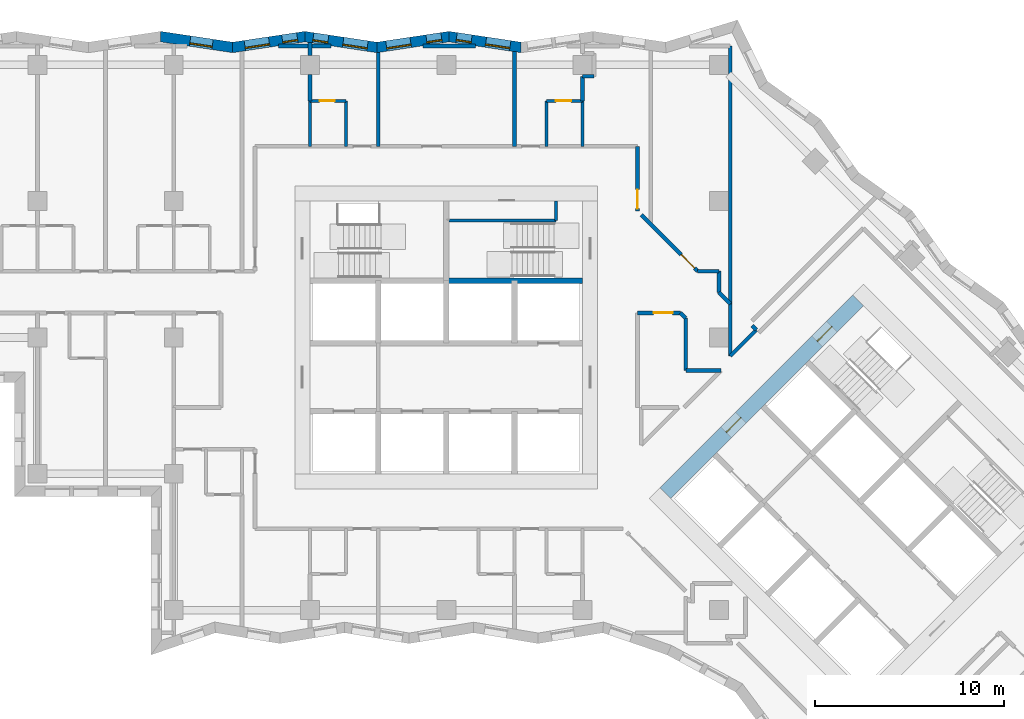
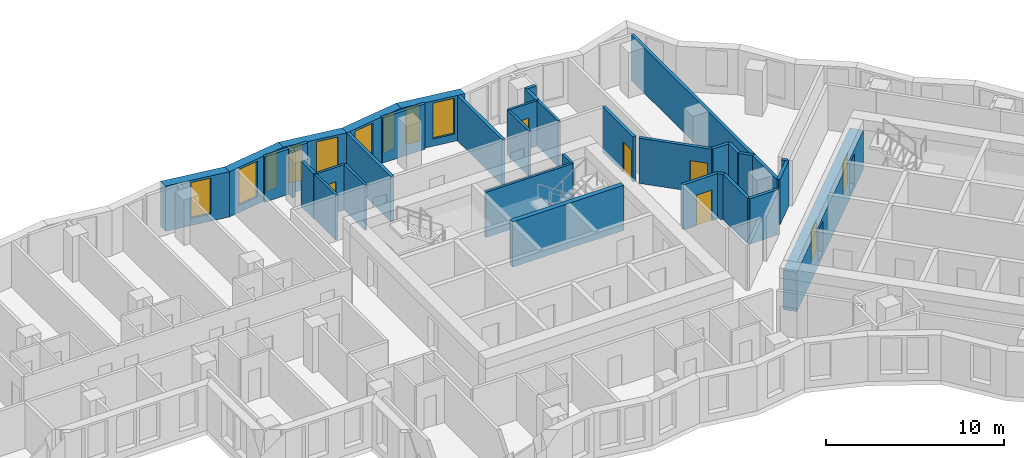
# One storey, part 7 of 13: 36 walls, 9 windows, 7 doors, 16 openings.
"""IFC4 building model written with IfcOpenShell, lengths in metres."""

from ifc_helpers import new_model, si_unit, direction, frame, frame_2d, origin, place, context, subcontext, project, spatial, polyline, rectangle, outline, extrude, material, layer, layer_set, type_object, element, fill, save


model = new_model("IFC4")

# Units and contexts
model_context = context("Model", 3, precision=1e-05, world=origin(), true_north=direction((0.0, 1.0)))
body_context = subcontext(model_context, "Body", "Model", "MODEL_VIEW")
ifc_project = project(units=[si_unit("LENGTHUNIT", "METRE"), si_unit("AREAUNIT", "SQUARE_METRE"), si_unit("VOLUMEUNIT", "CUBIC_METRE"), si_unit("PLANEANGLEUNIT", "RADIAN"), si_unit("MASSUNIT", "GRAM", prefix="KILO")], contexts=[model_context])

# Site, building, storey
site_placement = place(None, origin())
site = spatial("IfcSite", under=ifc_project, at=site_placement, CompositionType="ELEMENT")
building_placement = place(site_placement, origin())
building = spatial("IfcBuilding", under=site, at=building_placement, Name="Windrow Commons", CompositionType="ELEMENT")
storey_placement = place(building_placement, frame((0.0, 0.0, 111.8)))
storey = spatial("IfcBuildingStorey", under=building, at=storey_placement, Name="L30", CompositionType="ELEMENT", Elevation=111.8)

# Wall, openings, windows
ifc_material_1 = material(Name="Brick masonry, red clay brick", Category="masonry")
ifc_layer_1 = layer(ifc_material_1, 0.55)
ifc_layer_set_1 = layer_set([ifc_layer_1], Name="Brick facade wall 550")
wall_type_1 = type_object("IfcWallType", Name="Brick facade wall 550", PredefinedType="SOLIDWALL", material=ifc_layer_set_1)
wall_1_placement = place(storey_placement, frame((68.7536, 72.9219, 0.0), z_axis=(0.0, 0.0, 1.0), x_axis=(-0.9889155896, 0.1484788086, 0.0)))
wall_1 = element("IfcWall", 1, at=wall_1_placement, inside=storey, type_object=wall_type_1, Name="Brick facade wall L30 24", PredefinedType="SOLIDWALL", context=body_context, shape_type="SweptSolid", body=[
    extrude(outline(polyline([(0.0413, -0.275), (3.8937, -0.275), (3.8111, 0.275), (-0.0413, 0.275), (0.0413, -0.275)])), origin(), (0.0, 0.0, 1.0), 3.1),
])
opening_1_placement = place(wall_1_placement, frame((0.5843, 0.0, 0.5)))
opening_1 = element("IfcOpeningElement", 2, at=opening_1_placement, cuts=wall_1, Name="Opening W1P", PredefinedType="OPENING", context=body_context, shape_type="SweptSolid", body=[
    extrude(rectangle(XDim=1.3, YDim=2.45, at=frame_2d((0.65, 1.225))), frame((0.0, 0.285, 0.0), z_axis=(0.0, -1.0, 0.0), x_axis=(1.0, 0.0, 0.0)), (0.0, 0.0, 1.0), 0.57),
])
opening_2_placement = place(wall_1_placement, frame((2.6547, 0.0, 0.45)))
opening_2 = element("IfcOpeningElement", 3, at=opening_2_placement, cuts=wall_1, Name="Opening W1N", PredefinedType="OPENING", context=body_context, shape_type="SweptSolid", body=[
    extrude(rectangle(XDim=0.8, YDim=2.5, at=frame_2d((0.4, 1.25))), frame((0.0, 0.285, 0.0), z_axis=(0.0, -1.0, 0.0), x_axis=(1.0, 0.0, 0.0)), (0.0, 0.0, 1.0), 0.57),
])
ifc_material_2 = material(Name="Clear float glass in anodised aluminium frame", Category="aluminium")
window_type_1 = type_object("IfcWindowType", Name="Window W1N slit 800x2500", PartitioningType="SINGLE_PANEL", PredefinedType="WINDOW", material=ifc_material_2)
window_1_placement = place(opening_2_placement, origin())
window_1 = element("IfcWindow", 4, at=window_1_placement, inside=storey, type_object=window_type_1, Name="Window L30 24.1BA", OverallHeight=2.5, OverallWidth=0.8, PartitioningType="SINGLE_PANEL", PredefinedType="WINDOW", context=body_context, shape_type="SweptSolid", body=[
    extrude(rectangle(XDim=0.8, YDim=2.5, at=frame_2d((0.4, 1.25))), frame((0.0, 0.155, 0.0), z_axis=(0.0, -1.0, 0.0), x_axis=(1.0, 0.0, 0.0)), (0.0, 0.0, 1.0), 0.06),
])
fill(opening_2, window_1)
ifc_material_3 = material(Name="Clear float glass in anodised aluminium frame", Category="aluminium")
window_type_2 = type_object("IfcWindowType", Name="Window W1P pair 1300x2450", PartitioningType="SINGLE_PANEL", PredefinedType="WINDOW", material=ifc_material_3)
window_2_placement = place(opening_1_placement, origin())
window_2 = element("IfcWindow", 5, at=window_2_placement, inside=storey, type_object=window_type_2, Name="Window L30 24.1A", OverallHeight=2.45, OverallWidth=1.3, PartitioningType="SINGLE_PANEL", PredefinedType="WINDOW", context=body_context, shape_type="SweptSolid", body=[
    extrude(rectangle(XDim=1.3, YDim=2.45, at=frame_2d((0.65, 1.225))), frame((0.0, 0.155, 0.0), z_axis=(0.0, -1.0, 0.0), x_axis=(1.0, 0.0, 0.0)), (0.0, 0.0, 1.0), 0.06),
])
fill(opening_1, window_2)

wall_2_placement = place(storey_placement, frame((64.9439, 73.4939, 0.0), z_axis=(0.0, 0.0, 1.0), x_axis=(-0.9889150173, -0.1484826202, 0.0)))
wall_2 = element("IfcWall", 6, at=wall_2_placement, inside=storey, type_object=wall_type_1, Name="Brick facade wall L30 25", PredefinedType="SOLIDWALL", context=body_context, shape_type="SweptSolid", body=[
    extrude(outline(polyline([(-0.0413, -0.275), (3.8111, -0.275), (3.8937, 0.275), (0.0413, 0.275), (-0.0413, -0.275)])), origin(), (0.0, 0.0, 1.0), 3.1),
])
opening_3_placement = place(wall_2_placement, frame((2.0468, 0.0, 0.5)))
opening_3 = element("IfcOpeningElement", 7, at=opening_3_placement, cuts=wall_2, Name="Opening W1P", PredefinedType="OPENING", context=body_context, shape_type="SweptSolid", body=[
    extrude(rectangle(XDim=1.3, YDim=2.45, at=frame_2d((0.65, 1.225))), frame((0.0, 0.285, 0.0), z_axis=(0.0, -1.0, 0.0), x_axis=(1.0, 0.0, 0.0)), (0.0, 0.0, 1.0), 0.57),
])
opening_4_placement = place(wall_2_placement, frame((0.3975, 0.0, 0.45)))
opening_4 = element("IfcOpeningElement", 8, at=opening_4_placement, cuts=wall_2, Name="Opening W1N", PredefinedType="OPENING", context=body_context, shape_type="SweptSolid", body=[
    extrude(rectangle(XDim=0.8, YDim=2.5, at=frame_2d((0.4, 1.25))), frame((0.0, 0.285, 0.0), z_axis=(0.0, -1.0, 0.0), x_axis=(1.0, 0.0, 0.0)), (0.0, 0.0, 1.0), 0.57),
])
window_3_placement = place(opening_4_placement, origin())
window_3 = element("IfcWindow", 9, at=window_3_placement, inside=storey, type_object=window_type_1, Name="Window L30 25.1AA", OverallHeight=2.5, OverallWidth=0.8, PartitioningType="SINGLE_PANEL", PredefinedType="WINDOW", context=body_context, shape_type="SweptSolid", body=[
    extrude(rectangle(XDim=0.8, YDim=2.5, at=frame_2d((0.4, 1.25))), frame((0.0, 0.155, 0.0), z_axis=(0.0, -1.0, 0.0), x_axis=(1.0, 0.0, 0.0)), (0.0, 0.0, 1.0), 0.06),
])
fill(opening_4, window_3)
window_4_placement = place(opening_3_placement, origin())
window_4 = element("IfcWindow", 10, at=window_4_placement, inside=storey, type_object=window_type_2, Name="Window L30 25.1B", OverallHeight=2.45, OverallWidth=1.3, PartitioningType="SINGLE_PANEL", PredefinedType="WINDOW", context=body_context, shape_type="SweptSolid", body=[
    extrude(rectangle(XDim=1.3, YDim=2.45, at=frame_2d((0.65, 1.225))), frame((0.0, 0.155, 0.0), z_axis=(0.0, -1.0, 0.0), x_axis=(1.0, 0.0, 0.0)), (0.0, 0.0, 1.0), 0.06),
])
fill(opening_3, window_4)

wall_3_placement = place(storey_placement, frame((61.1343, 72.9219, 0.0), z_axis=(0.0, 0.0, 1.0), x_axis=(-0.9889155896, 0.1484788086, 0.0)))
wall_3 = element("IfcWall", 11, at=wall_3_placement, inside=storey, type_object=wall_type_1, Name="Brick facade wall L30 26", PredefinedType="SOLIDWALL", context=body_context, shape_type="SweptSolid", body=[
    extrude(outline(polyline([(0.0413, -0.275), (3.8937, -0.275), (3.8111, 0.275), (-0.0413, 0.275), (0.0413, -0.275)])), origin(), (0.0, 0.0, 1.0), 3.1),
])
opening_5_placement = place(wall_3_placement, frame((0.5055, 0.0, 0.5)))
opening_5 = element("IfcOpeningElement", 12, at=opening_5_placement, cuts=wall_3, Name="Opening W1P", PredefinedType="OPENING", context=body_context, shape_type="SweptSolid", body=[
    extrude(rectangle(XDim=1.3, YDim=2.45, at=frame_2d((0.65, 1.225))), frame((0.0, 0.285, 0.0), z_axis=(0.0, -1.0, 0.0), x_axis=(1.0, 0.0, 0.0)), (0.0, 0.0, 1.0), 0.57),
])
opening_6_placement = place(wall_3_placement, frame((2.6047, 0.0, 0.45)))
opening_6 = element("IfcOpeningElement", 13, at=opening_6_placement, cuts=wall_3, Name="Opening W1N", PredefinedType="OPENING", context=body_context, shape_type="SweptSolid", body=[
    extrude(rectangle(XDim=0.8, YDim=2.5, at=frame_2d((0.4, 1.25))), frame((0.0, 0.285, 0.0), z_axis=(0.0, -1.0, 0.0), x_axis=(1.0, 0.0, 0.0)), (0.0, 0.0, 1.0), 0.57),
])
window_5_placement = place(opening_6_placement, origin())
window_5 = element("IfcWindow", 14, at=window_5_placement, inside=storey, type_object=window_type_1, Name="Window L30 26.1BA", OverallHeight=2.5, OverallWidth=0.8, PartitioningType="SINGLE_PANEL", PredefinedType="WINDOW", context=body_context, shape_type="SweptSolid", body=[
    extrude(rectangle(XDim=0.8, YDim=2.5, at=frame_2d((0.4, 1.25))), frame((0.0, 0.155, 0.0), z_axis=(0.0, -1.0, 0.0), x_axis=(1.0, 0.0, 0.0)), (0.0, 0.0, 1.0), 0.06),
])
fill(opening_6, window_5)
window_6_placement = place(opening_5_placement, origin())
window_6 = element("IfcWindow", 15, at=window_6_placement, inside=storey, type_object=window_type_2, Name="Window L30 26.1A", OverallHeight=2.45, OverallWidth=1.3, PartitioningType="SINGLE_PANEL", PredefinedType="WINDOW", context=body_context, shape_type="SweptSolid", body=[
    extrude(rectangle(XDim=1.3, YDim=2.45, at=frame_2d((0.65, 1.225))), frame((0.0, 0.155, 0.0), z_axis=(0.0, -1.0, 0.0), x_axis=(1.0, 0.0, 0.0)), (0.0, 0.0, 1.0), 0.06),
])
fill(opening_5, window_6)

wall_4_placement = place(storey_placement, frame((57.3246, 73.4939, 0.0), z_axis=(0.0, 0.0, 1.0), x_axis=(-0.9889155896, -0.1484788086, 0.0)))
wall_4 = element("IfcWall", 16, at=wall_4_placement, inside=storey, type_object=wall_type_1, Name="Brick facade wall L30 27", PredefinedType="SOLIDWALL", context=body_context, shape_type="SweptSolid", body=[
    extrude(outline(polyline([(-0.0413, -0.275), (3.8111, -0.275), (3.8937, 0.275), (0.0413, 0.275), (-0.0413, -0.275)])), origin(), (0.0, 0.0, 1.0), 3.1),
])
opening_7_placement = place(wall_4_placement, frame((1.9016, 0.0, 0.5)))
opening_7 = element("IfcOpeningElement", 17, at=opening_7_placement, cuts=wall_4, Name="Opening W1P", PredefinedType="OPENING", context=body_context, shape_type="SweptSolid", body=[
    extrude(rectangle(XDim=1.3, YDim=2.45, at=frame_2d((0.65, 1.225))), frame((0.0, 0.285, 0.0), z_axis=(0.0, -1.0, 0.0), x_axis=(1.0, 0.0, 0.0)), (0.0, 0.0, 1.0), 0.57),
])
opening_8_placement = place(wall_4_placement, frame((0.3975, 0.0, 0.45)))
opening_8 = element("IfcOpeningElement", 18, at=opening_8_placement, cuts=wall_4, Name="Opening W1N", PredefinedType="OPENING", context=body_context, shape_type="SweptSolid", body=[
    extrude(rectangle(XDim=0.8, YDim=2.5, at=frame_2d((0.4, 1.25))), frame((0.0, 0.285, 0.0), z_axis=(0.0, -1.0, 0.0), x_axis=(1.0, 0.0, 0.0)), (0.0, 0.0, 1.0), 0.57),
])
window_7_placement = place(opening_8_placement, origin())
window_7 = element("IfcWindow", 19, at=window_7_placement, inside=storey, type_object=window_type_1, Name="Window L30 27.1AA", OverallHeight=2.5, OverallWidth=0.8, PartitioningType="SINGLE_PANEL", PredefinedType="WINDOW", context=body_context, shape_type="SweptSolid", body=[
    extrude(rectangle(XDim=0.8, YDim=2.5, at=frame_2d((0.4, 1.25))), frame((0.0, 0.155, 0.0), z_axis=(0.0, -1.0, 0.0), x_axis=(1.0, 0.0, 0.0)), (0.0, 0.0, 1.0), 0.06),
])
fill(opening_8, window_7)
window_8_placement = place(opening_7_placement, origin())
window_8 = element("IfcWindow", 20, at=window_8_placement, inside=storey, type_object=window_type_2, Name="Window L30 27.1B", OverallHeight=2.45, OverallWidth=1.3, PartitioningType="SINGLE_PANEL", PredefinedType="WINDOW", context=body_context, shape_type="SweptSolid", body=[
    extrude(rectangle(XDim=1.3, YDim=2.45, at=frame_2d((0.65, 1.225))), frame((0.0, 0.155, 0.0), z_axis=(0.0, -1.0, 0.0), x_axis=(1.0, 0.0, 0.0)), (0.0, 0.0, 1.0), 0.06),
])
fill(opening_7, window_8)

# Wall, opening, window
wall_5_placement = place(storey_placement, frame((53.5149, 72.9219, 0.0), z_axis=(0.0, 0.0, 1.0), x_axis=(-0.9889150173, 0.1484826202, 0.0)))
wall_5 = element("IfcWall", 21, at=wall_5_placement, inside=storey, type_object=wall_type_1, Name="Brick facade wall L30 28", PredefinedType="SOLIDWALL", context=body_context, shape_type="SweptSolid", body=[
    extrude(outline(polyline([(0.0413, -0.275), (3.8937, -0.275), (3.8111, 0.275), (-0.0413, 0.275), (0.0413, -0.275)])), origin(), (0.0, 0.0, 1.0), 3.1),
])
opening_9_placement = place(wall_5_placement, frame((1.0749, 0.0, 0.5)))
opening_9 = element("IfcOpeningElement", 22, at=opening_9_placement, cuts=wall_5, Name="Opening W7D", PredefinedType="OPENING", context=body_context, shape_type="SweptSolid", body=[
    extrude(rectangle(XDim=1.2, YDim=2.45, at=frame_2d((0.6, 1.225))), frame((0.0, 0.285, 0.0), z_axis=(0.0, -1.0, 0.0), x_axis=(1.0, 0.0, 0.0)), (0.0, 0.0, 1.0), 0.57),
])
ifc_material_4 = material(Name="Clear float glass in anodised aluminium frame", Category="aluminium")
window_type_3 = type_object("IfcWindowType", Name="Window W7 notch 1200x2450", PartitioningType="SINGLE_PANEL", PredefinedType="WINDOW", material=ifc_material_4)
window_9_placement = place(opening_9_placement, origin())
window_9 = element("IfcWindow", 23, at=window_9_placement, inside=storey, type_object=window_type_3, Name="Window L30 28.1", OverallHeight=2.45, OverallWidth=1.2, PartitioningType="SINGLE_PANEL", PredefinedType="WINDOW", context=body_context, shape_type="SweptSolid", body=[
    extrude(rectangle(XDim=1.2, YDim=2.45, at=frame_2d((0.6, 1.225))), frame((0.0, 0.155, 0.0), z_axis=(0.0, -1.0, 0.0), x_axis=(1.0, 0.0, 0.0)), (0.0, 0.0, 1.0), 0.06),
])
fill(opening_9, window_9)

# Wall, opening, door
ifc_material_5 = material(Name="Blockwork partition", Category="masonry")
ifc_layer_2 = layer(ifc_material_5, 0.2)
ifc_layer_set_2 = layer_set([ifc_layer_2], Name="IW-CORRIDOR-200")
wall_type_2 = type_object("IfcWallType", Name="IW-CORRIDOR-200", PredefinedType="PARTITIONING", material=ifc_layer_set_2)
wall_6_placement = place(storey_placement, frame((75.1034, 64.0834, 0.0), z_axis=(0.0, 0.0, 1.0), x_axis=(0.7071067812, -0.7071067812, 0.0)))
wall_6 = element("IfcWall", 24, at=wall_6_placement, inside=storey, type_object=wall_type_2, Name="W-L30-W049", PredefinedType="PARTITIONING", context=body_context, shape_type="SweptSolid", body=[
    extrude(rectangle(XDim=4.2144, YDim=0.2, at=frame_2d((2.1072, 0.0))), origin(), (0.0, 0.0, 1.0), 3.1),
])
opening_10_placement = place(wall_6_placement, frame((2.9794, 0.0, 0.0)))
opening_10 = element("IfcOpeningElement", 25, at=opening_10_placement, cuts=wall_6, Name="Opening D310F", PredefinedType="OPENING", context=body_context, shape_type="SweptSolid", body=[
    extrude(rectangle(XDim=1.0, YDim=2.1, at=frame_2d((0.5, 1.05))), frame((0.0, 0.11, 0.0), z_axis=(0.0, -1.0, 0.0), x_axis=(1.0, 0.0, 0.0)), (0.0, 0.0, 1.0), 0.22),
])
ifc_material_6 = material(Name="Timber door leaf", Category="wood")
door_type_1 = type_object("IfcDoorType", Name="DT-AMENITY-1000", OperationType="SINGLE_SWING_LEFT", PredefinedType="DOOR", material=ifc_material_6)
door_1_placement = place(opening_10_placement, origin())
door_1 = element("IfcDoor", 26, at=door_1_placement, inside=storey, type_object=door_type_1, Name="D-L30-D044", OperationType="SINGLE_SWING_LEFT", OverallHeight=2.1, OverallWidth=1.0, PredefinedType="DOOR", context=body_context, shape_type="SweptSolid", body=[
    extrude(rectangle(XDim=1.0, YDim=2.1, at=frame_2d((0.5, 1.05))), frame((0.0, 0.025, 0.0), z_axis=(0.0, -1.0, 0.0), x_axis=(1.0, 0.0, 0.0)), (0.0, 0.0, 1.0), 0.05),
])
fill(opening_10, door_1)

wall_7_placement = place(storey_placement, frame((74.9, 64.28, 0.0), z_axis=(0.0, 0.0, 1.0), x_axis=(0.0, 1.0, 0.0)))
wall_7 = element("IfcWall", 27, at=wall_7_placement, inside=storey, type_object=wall_type_2, Name="W-L30-W056", PredefinedType="PARTITIONING", context=body_context, shape_type="SweptSolid", body=[
    extrude(rectangle(XDim=3.42, YDim=0.2, at=frame_2d((1.71, 0.0))), origin(), (0.0, 0.0, 1.0), 3.1),
])
opening_11_placement = place(wall_7_placement, frame((0.1296, 0.0, 0.0)))
opening_11 = element("IfcOpeningElement", 28, at=opening_11_placement, cuts=wall_7, Name="Opening D310F", PredefinedType="OPENING", context=body_context, shape_type="SweptSolid", body=[
    extrude(rectangle(XDim=1.0, YDim=2.1, at=frame_2d((0.5, 1.05))), frame((0.0, 0.11, 0.0), z_axis=(0.0, -1.0, 0.0), x_axis=(1.0, 0.0, 0.0)), (0.0, 0.0, 1.0), 0.22),
])
door_2_placement = place(opening_11_placement, origin())
door_2 = element("IfcDoor", 29, at=door_2_placement, inside=storey, type_object=door_type_1, Name="D-L30-D043", OperationType="SINGLE_SWING_RIGHT", OverallHeight=2.1, OverallWidth=1.0, PredefinedType="DOOR", context=body_context, shape_type="SweptSolid", body=[
    extrude(rectangle(XDim=1.0, YDim=2.1, at=frame_2d((0.5, 1.05))), frame((0.0, 0.025, 0.0), z_axis=(0.0, -1.0, 0.0), x_axis=(1.0, 0.0, 0.0)), (0.0, 0.0, 1.0), 0.05),
])
fill(opening_11, door_2)

# Walls
wall_8_placement = place(storey_placement, frame((77.45, 55.852, 0.0), z_axis=(0.0, 0.0, 1.0), x_axis=(0.0, 1.0, 0.0)))
element("IfcWall", 30, at=wall_8_placement, inside=storey, type_object=wall_type_2, Name="W-L30-W075", PredefinedType="PARTITIONING", context=body_context, shape_type="SweptSolid", body=[
    extrude(rectangle(XDim=2.766, YDim=0.2, at=frame_2d((1.383, 0.0))), origin(), (0.0, 0.0, 1.0), 3.1),
])
wall_9_placement = place(storey_placement, frame((79.8, 56.622, 0.0), z_axis=(0.0, 0.0, 1.0), x_axis=(0.0, 1.0, 0.0)))
element("IfcWall", 31, at=wall_9_placement, inside=storey, type_object=wall_type_2, Name="W-L30-W076", PredefinedType="PARTITIONING", context=body_context, shape_type="SweptSolid", body=[
    extrude(rectangle(XDim=2.758, YDim=0.2, at=frame_2d((1.379, 0.0))), origin(), (0.0, 0.0, 1.0), 3.1),
])

# Wall, opening, door
wall_10_placement = place(storey_placement, frame((74.902, 58.9, 0.0), z_axis=(0.0, 0.0, 1.0), x_axis=(1.0, 0.0, 0.0)))
wall_10 = element("IfcWall", 32, at=wall_10_placement, inside=storey, type_object=wall_type_2, Name="W-L30-W127", PredefinedType="PARTITIONING", context=body_context, shape_type="SweptSolid", body=[
    extrude(rectangle(XDim=2.266, YDim=0.2, at=frame_2d((1.133, 0.0))), origin(), (0.0, 0.0, 1.0), 3.1),
])
opening_12_placement = place(wall_10_placement, frame((0.8575, 0.0, 0.0)))
opening_12 = element("IfcOpeningElement", 33, at=opening_12_placement, cuts=wall_10, Name="Opening D410F", PredefinedType="OPENING", context=body_context, shape_type="SweptSolid", body=[
    extrude(rectangle(XDim=1.0, YDim=2.1, at=frame_2d((0.5, 1.05))), frame((0.0, 0.11, 0.0), z_axis=(0.0, -1.0, 0.0), x_axis=(1.0, 0.0, 0.0)), (0.0, 0.0, 1.0), 0.22),
])
ifc_material_7 = material(Name="Timber door leaf", Category="wood")
door_type_2 = type_object("IfcDoorType", Name="DT-SERVICE-1000", OperationType="SINGLE_SWING_LEFT", PredefinedType="DOOR", material=ifc_material_7)
door_3_placement = place(opening_12_placement, origin())
door_3 = element("IfcDoor", 34, at=door_3_placement, inside=storey, type_object=door_type_2, Name="D-L30-D011", OperationType="SINGLE_SWING_RIGHT", OverallHeight=2.1, OverallWidth=1.0, PredefinedType="DOOR", context=body_context, shape_type="SweptSolid", body=[
    extrude(rectangle(XDim=1.0, YDim=2.1, at=frame_2d((0.5, 1.05))), frame((0.0, 0.025, 0.0), z_axis=(0.0, -1.0, 0.0), x_axis=(1.0, 0.0, 0.0)), (0.0, 0.0, 1.0), 0.05),
])
fill(opening_12, door_3)

# Walls
wall_11_placement = place(storey_placement, frame((79.8015, 56.6225, 0.0), z_axis=(0.0, 0.0, 1.0), x_axis=(0.7071067812, 0.7071067812, 0.0)))
element("IfcWall", 35, at=wall_11_placement, inside=storey, type_object=wall_type_2, Name="W-L30-W137", PredefinedType="PARTITIONING", context=body_context, shape_type="SweptSolid", body=[
    extrude(rectangle(XDim=1.9488, YDim=0.2, at=frame_2d((0.9744, 0.0))), origin(), (0.0, 0.0, 1.0), 3.1),
])
wall_12_placement = place(storey_placement, frame((77.452, 55.85, 0.0), z_axis=(0.0, 0.0, 1.0), x_axis=(1.0, 0.0, 0.0)))
element("IfcWall", 36, at=wall_12_placement, inside=storey, type_object=wall_type_2, Name="W-L30-W154", PredefinedType="PARTITIONING", context=body_context, shape_type="SweptSolid", body=[
    extrude(rectangle(XDim=1.86, YDim=0.2, at=frame_2d((0.93, 0.0))), origin(), (0.0, 0.0, 1.0), 3.1),
])
for number, where, z_axis, x_axis, name in (
    (37, (78.08, 61.1, 0.0), (0.0, 0.0, 1.0), (1.0, 0.0, 0.0), "W-L30-W166"),
    (38, (79.2, 59.98, 0.0), (0.0, 0.0, 1.0), (0.0, 1.0, 0.0), "W-L30-W167"),
):
    element("IfcWall", number, at=place(storey_placement, frame(where, z_axis=z_axis, x_axis=x_axis)), inside=storey, type_object=wall_type_2, Name=name, PredefinedType="PARTITIONING", context=body_context, shape_type="SweptSolid", body=[
        extrude(rectangle(XDim=1.12, YDim=0.2, at=frame_2d((0.56, 0.0))), origin(), (0.0, 0.0, 1.0), 3.1),
    ])
wall_13_placement = place(storey_placement, frame((79.2034, 59.9834, 0.0), z_axis=(0.0, 0.0, 1.0), x_axis=(0.7071067812, -0.7071067812, 0.0)))
element("IfcWall", 39, at=wall_13_placement, inside=storey, type_object=wall_type_2, Name="W-L30-W170", PredefinedType="PARTITIONING", context=body_context, shape_type="SweptSolid", body=[
    extrude(rectangle(XDim=0.8485, YDim=0.2, at=frame_2d((0.4243, 0.0))), origin(), (0.0, 0.0, 1.0), 3.1),
])
wall_14_placement = place(storey_placement, frame((77.1647, 58.8967, 0.0), z_axis=(0.0, 0.0, 1.0), x_axis=(0.7071067812, -0.7071067812, 0.0)))
element("IfcWall", 40, at=wall_14_placement, inside=storey, type_object=wall_type_2, Name="W-L30-W211", PredefinedType="PARTITIONING", context=body_context, shape_type="SweptSolid", body=[
    extrude(rectangle(XDim=0.3988, YDim=0.2, at=frame_2d((0.1994, 0.0))), origin(), (0.0, 0.0, 1.0), 3.1),
])
ifc_material_8 = material(Name="Blockwork partition", Category="masonry")
ifc_layer_3 = layer(ifc_material_8, 0.15)
ifc_layer_set_3 = layer_set([ifc_layer_3], Name="IW-ENSUITE-150")
wall_type_3 = type_object("IfcWallType", Name="IW-ENSUITE-150", PredefinedType="PARTITIONING", material=ifc_layer_set_3)
for number, where, z_axis, x_axis, name in (
    (41, (59.5, 67.7, 0.0), (0.0, 0.0, 1.0), (0.0, 1.0, 0.0), "W-L30-W109"),
    (42, (57.6, 67.7, 0.0), (0.0, 0.0, 1.0), (0.0, 1.0, 0.0), "W-L30-W110"),
    (43, (70.1, 67.7, 0.0), (0.0, 0.0, 1.0), (0.0, 1.0, 0.0), "W-L30-W111"),
    (44, (72.0, 67.7, 0.0), (0.0, 0.0, 1.0), (0.0, 1.0, 0.0), "W-L30-W112"),
):
    element("IfcWall", number, at=place(storey_placement, frame(where, z_axis=z_axis, x_axis=x_axis)), inside=storey, type_object=wall_type_3, Name=name, PredefinedType="PARTITIONING", context=body_context, shape_type="SweptSolid", body=[
        extrude(rectangle(XDim=2.4, YDim=0.15, at=frame_2d((1.2, 0.0))), origin(), (0.0, 0.0, 1.0), 3.1),
    ])

# Wall, opening, door
wall_15_placement = place(storey_placement, frame((70.1, 70.1, 0.0), z_axis=(0.0, 0.0, 1.0), x_axis=(1.0, 0.0, 0.0)))
wall_15 = element("IfcWall", 45, at=wall_15_placement, inside=storey, type_object=wall_type_3, Name="W-L30-W142", PredefinedType="PARTITIONING", context=body_context, shape_type="SweptSolid", body=[
    extrude(rectangle(XDim=1.9, YDim=0.15, at=frame_2d((0.95, 0.0))), origin(), (0.0, 0.0, 1.0), 3.1),
])
opening_13_placement = place(wall_15_placement, frame((0.4931, 0.0, 0.0)))
opening_13 = element("IfcOpeningElement", 46, at=opening_13_placement, cuts=wall_15, Name="Opening D208N", PredefinedType="OPENING", context=body_context, shape_type="SweptSolid", body=[
    extrude(rectangle(XDim=0.8, YDim=2.1, at=frame_2d((0.4, 1.05))), frame((0.0, 0.085, 0.0), z_axis=(0.0, -1.0, 0.0), x_axis=(1.0, 0.0, 0.0)), (0.0, 0.0, 1.0), 0.17),
])
ifc_material_9 = material(Name="Timber door leaf", Category="wood")
door_type_3 = type_object("IfcDoorType", Name="DT-ENSUITE-800", OperationType="SINGLE_SWING_LEFT", PredefinedType="DOOR", material=ifc_material_9)
door_4_placement = place(opening_13_placement, origin())
door_4 = element("IfcDoor", 47, at=door_4_placement, inside=storey, type_object=door_type_3, Name="D-L30-D042", OperationType="SINGLE_SWING_RIGHT", OverallHeight=2.1, OverallWidth=0.8, PredefinedType="DOOR", context=body_context, shape_type="SweptSolid", body=[
    extrude(rectangle(XDim=0.8, YDim=2.1, at=frame_2d((0.4, 1.05))), frame((0.0, 0.025, 0.0), z_axis=(0.0, -1.0, 0.0), x_axis=(1.0, 0.0, 0.0)), (0.0, 0.0, 1.0), 0.05),
])
fill(opening_13, door_4)

wall_16_placement = place(storey_placement, frame((57.6, 70.1, 0.0), z_axis=(0.0, 0.0, 1.0), x_axis=(1.0, 0.0, 0.0)))
wall_16 = element("IfcWall", 48, at=wall_16_placement, inside=storey, type_object=wall_type_3, Name="W-L30-W149", PredefinedType="PARTITIONING", context=body_context, shape_type="SweptSolid", body=[
    extrude(rectangle(XDim=1.9, YDim=0.15, at=frame_2d((0.95, 0.0))), origin(), (0.0, 0.0, 1.0), 3.1),
])
opening_14_placement = place(wall_16_placement, frame((0.5021, 0.0, 0.0)))
opening_14 = element("IfcOpeningElement", 49, at=opening_14_placement, cuts=wall_16, Name="Opening D208N", PredefinedType="OPENING", context=body_context, shape_type="SweptSolid", body=[
    extrude(rectangle(XDim=0.8, YDim=2.1, at=frame_2d((0.4, 1.05))), frame((0.0, 0.085, 0.0), z_axis=(0.0, -1.0, 0.0), x_axis=(1.0, 0.0, 0.0)), (0.0, 0.0, 1.0), 0.17),
])
door_5_placement = place(opening_14_placement, origin())
door_5 = element("IfcDoor", 50, at=door_5_placement, inside=storey, type_object=door_type_3, Name="D-L30-D039", OperationType="SINGLE_SWING_RIGHT", OverallHeight=2.1, OverallWidth=0.8, PredefinedType="DOOR", context=body_context, shape_type="SweptSolid", body=[
    extrude(rectangle(XDim=0.8, YDim=2.1, at=frame_2d((0.4, 1.05))), frame((0.0, 0.025, 0.0), z_axis=(0.0, -1.0, 0.0), x_axis=(1.0, 0.0, 0.0)), (0.0, 0.0, 1.0), 0.05),
])
fill(opening_14, door_5)

# Walls
ifc_material_10 = material(Name="Blockwork partition", Category="masonry")
ifc_layer_4 = layer(ifc_material_10, 0.2)
ifc_layer_set_4 = layer_set([ifc_layer_4], Name="IW-PARTY-200")
wall_type_4 = type_object("IfcWallType", Name="IW-PARTY-200", PredefinedType="PARTITIONING", material=ifc_layer_set_4)
wall_17_placement = place(storey_placement, frame((79.8, 59.38, 0.0), z_axis=(0.0, 0.0, 1.0), x_axis=(0.0, 1.0, 0.0)))
element("IfcWall", 51, at=wall_17_placement, inside=storey, type_object=wall_type_4, Name="W-L30-W004", PredefinedType="PARTITIONING", context=body_context, shape_type="SweptSolid", body=[
    extrude(rectangle(XDim=13.62, YDim=0.2, at=frame_2d((6.81, 0.0))), origin(), (0.0, 0.0, 1.0), 3.1),
])
wall_18_placement = place(storey_placement, frame((68.4, 67.7, 0.0), z_axis=(0.0, 0.0, 1.0), x_axis=(0.0, 1.0, 0.0)))
element("IfcWall", 52, at=wall_18_placement, inside=storey, type_object=wall_type_4, Name="W-L30-W043", PredefinedType="PARTITIONING", context=body_context, shape_type="SweptSolid", body=[
    extrude(rectangle(XDim=4.9969, YDim=0.2, at=frame_2d((2.4985, 0.0))), origin(), (0.0, 0.0, 1.0), 3.1),
])
wall_19_placement = place(storey_placement, frame((61.2, 67.7, 0.0), z_axis=(0.0, 0.0, 1.0), x_axis=(0.0, 1.0, 0.0)))
element("IfcWall", 53, at=wall_19_placement, inside=storey, type_object=wall_type_4, Name="W-L30-W044", PredefinedType="PARTITIONING", context=body_context, shape_type="SweptSolid", body=[
    extrude(rectangle(XDim=4.9537, YDim=0.2, at=frame_2d((2.4769, 0.0))), origin(), (0.0, 0.0, 1.0), 3.1),
])
for number, where, z_axis, x_axis, name in (
    (54, (63.5564, 73.0, 0.0), (0.0, 0.0, 1.0), (1.0, 0.0, 0.0), "W-L30-W068"),
    (55, (55.9371, 73.0, 0.0), (0.0, 0.0, 1.0), (1.0, 0.0, 0.0), "W-L30-W070"),
):
    element("IfcWall", number, at=place(storey_placement, frame(where, z_axis=z_axis, x_axis=x_axis)), inside=storey, type_object=wall_type_4, Name=name, PredefinedType="PARTITIONING", context=body_context, shape_type="SweptSolid", body=[
        extrude(rectangle(XDim=2.775, YDim=0.2, at=frame_2d((1.3875, 0.0))), origin(), (0.0, 0.0, 1.0), 3.1),
    ])
wall_20_placement = place(storey_placement, frame((57.6, 70.1, 0.0), z_axis=(0.0, 0.0, 1.0), x_axis=(0.0, 1.0, 0.0)))
element("IfcWall", 56, at=wall_20_placement, inside=storey, type_object=wall_type_4, Name="W-L30-W160", PredefinedType="PARTITIONING", context=body_context, shape_type="SweptSolid", body=[
    extrude(rectangle(XDim=1.4, YDim=0.2, at=frame_2d((0.7, 0.0))), origin(), (0.0, 0.0, 1.0), 3.1),
])
wall_21_placement = place(storey_placement, frame((72.0, 70.1, 0.0), z_axis=(0.0, 0.0, 1.0), x_axis=(0.0, 1.0, 0.0)))
element("IfcWall", 57, at=wall_21_placement, inside=storey, type_object=wall_type_4, Name="W-L30-W163", PredefinedType="PARTITIONING", context=body_context, shape_type="SweptSolid", body=[
    extrude(rectangle(XDim=1.296, YDim=0.2, at=frame_2d((0.648, 0.0))), origin(), (0.0, 0.0, 1.0), 3.1),
])
wall_22_placement = place(storey_placement, frame((72.0, 71.4, 0.0), z_axis=(0.0, 0.0, 1.0), x_axis=(1.0, 0.0, 0.0)))
element("IfcWall", 58, at=wall_22_placement, inside=storey, type_object=wall_type_4, Name="W-L30-W189", PredefinedType="PARTITIONING", context=body_context, shape_type="SweptSolid", body=[
    extrude(rectangle(XDim=0.6, YDim=0.2, at=frame_2d((0.3, 0.0))), origin(), (0.0, 0.0, 1.0), 3.1),
])
wall_23_placement = place(storey_placement, frame((57.6, 72.5, 0.0), z_axis=(0.0, 0.0, 1.0), x_axis=(0.0, 1.0, 0.0)))
element("IfcWall", 59, at=wall_23_placement, inside=storey, type_object=wall_type_4, Name="W-L30-W199", PredefinedType="PARTITIONING", context=body_context, shape_type="SweptSolid", body=[
    extrude(rectangle(XDim=0.6745, YDim=0.2, at=frame_2d((0.3372, 0.0))), origin(), (0.0, 0.0, 1.0), 3.1),
])
wall_24_placement = place(storey_placement, frame((80.9534, 58.2334, 0.0), z_axis=(0.0, 0.0, 1.0), x_axis=(0.7071067812, -0.7071067812, 0.0)))
element("IfcWall", 60, at=wall_24_placement, inside=storey, type_object=wall_type_4, Name="W-L30-W215", PredefinedType="PARTITIONING", context=body_context, shape_type="SweptSolid", body=[
    extrude(rectangle(XDim=0.3253, YDim=0.2, at=frame_2d((0.1626, 0.0))), origin(), (0.0, 0.0, 1.0), 3.1),
])

# Wall, openings, doors
ifc_material_11 = material(Name="Concrete C50/60", Category="concrete")
ifc_layer_5 = layer(ifc_material_11, 0.8)
ifc_layer_set_5 = layer_set([ifc_layer_5], Name="RC CORE WALL 800 C50/60")
wall_type_5 = type_object("IfcWallType", Name="RC CORE WALL 800 C50/60", PredefinedType="SHEAR", material=ifc_layer_set_5)
wall_25_placement = place(storey_placement, frame((76.3716, 49.3726, -0.3), z_axis=(0.0, 0.0, 1.0), x_axis=(0.7071067812, 0.7071067812, 0.0)))
wall_25 = element("IfcWall", 61, at=wall_25_placement, inside=storey, type_object=wall_type_5, Name="Core B wall outer-W", PredefinedType="SHEAR", context=body_context, shape_type="SweptSolid", body=[
    extrude(rectangle(XDim=14.3999, YDim=0.8, at=frame_2d((7.2, 0.0))), origin(), (0.0, 0.0, 1.0), 2.7),
])
opening_15_placement = place(wall_25_placement, frame((4.55, 0.0, 0.3)))
opening_15 = element("IfcOpeningElement", 62, at=opening_15_placement, cuts=wall_25, Name="Opening D6", PredefinedType="OPENING", context=body_context, shape_type="SweptSolid", body=[
    extrude(rectangle(XDim=1.1, YDim=2.1, at=frame_2d((0.55, 1.05))), frame((0.0, 0.41, 0.0), z_axis=(0.0, -1.0, 0.0), x_axis=(1.0, 0.0, 0.0)), (0.0, 0.0, 1.0), 0.82),
])
opening_16_placement = place(wall_25_placement, frame((11.35, 0.0, 0.3)))
opening_16 = element("IfcOpeningElement", 63, at=opening_16_placement, cuts=wall_25, Name="Opening D7", PredefinedType="OPENING", context=body_context, shape_type="SweptSolid", body=[
    extrude(rectangle(XDim=1.1, YDim=2.1, at=frame_2d((0.55, 1.05))), frame((0.0, 0.41, 0.0), z_axis=(0.0, -1.0, 0.0), x_axis=(1.0, 0.0, 0.0)), (0.0, 0.0, 1.0), 0.82),
])
ifc_material_12 = material(Name="Steel fire door leaf", Category="steel")
door_type_4 = type_object("IfcDoorType", Name="Core lobby door 1100", OperationType="SINGLE_SWING_LEFT", PredefinedType="DOOR", material=ifc_material_12)
door_6_placement = place(opening_15_placement, origin())
door_6 = element("IfcDoor", 64, at=door_6_placement, inside=storey, type_object=door_type_4, Name="Lift lobby door", OperationType="DOUBLE_DOOR_SINGLE_SWING", OverallHeight=2.1, OverallWidth=1.1, PredefinedType="DOOR", context=body_context, shape_type="SweptSolid", body=[
    extrude(rectangle(XDim=1.1, YDim=2.1, at=frame_2d((0.55, 1.05))), frame((0.0, 0.025, 0.0), z_axis=(0.0, -1.0, 0.0), x_axis=(1.0, 0.0, 0.0)), (0.0, 0.0, 1.0), 0.05),
])
fill(opening_15, door_6)
ifc_material_13 = material(Name="Steel fire door leaf", Category="steel")
door_type_5 = type_object("IfcDoorType", Name="Stair door 1100", OperationType="SINGLE_SWING_LEFT", PredefinedType="DOOR", material=ifc_material_13)
door_7_placement = place(opening_16_placement, origin())
door_7 = element("IfcDoor", 65, at=door_7_placement, inside=storey, type_object=door_type_5, Name="Stair door", OperationType="SINGLE_SWING_LEFT", OverallHeight=2.1, OverallWidth=1.1, PredefinedType="DOOR", context=body_context, shape_type="SweptSolid", body=[
    extrude(rectangle(XDim=1.1, YDim=2.1, at=frame_2d((0.55, 1.05))), frame((0.0, 0.025, 0.0), z_axis=(0.0, -1.0, 0.0), x_axis=(1.0, 0.0, 0.0)), (0.0, 0.0, 1.0), 0.05),
])
fill(opening_16, door_7)

# Walls
ifc_material_14 = material(Name="Concrete C50/60", Category="concrete")
ifc_layer_6 = layer(ifc_material_14, 0.3)
ifc_layer_set_6 = layer_set([ifc_layer_6], Name="RC SHAFT WALL 300 C50/60")
wall_type_6 = type_object("IfcWallType", Name="RC SHAFT WALL 300 C50/60", PredefinedType="SOLIDWALL", material=ifc_layer_set_6)
wall_26_placement = place(storey_placement, frame((64.8, 60.6, 0.0), z_axis=(0.0, 0.0, 1.0), x_axis=(1.0, 0.0, 0.0)))
element("IfcWall", 66, at=wall_26_placement, inside=storey, type_object=wall_type_6, Name="Core A wall stair-S2", PredefinedType="SOLIDWALL", context=body_context, shape_type="SweptSolid", body=[
    extrude(rectangle(XDim=7.2, YDim=0.3, at=frame_2d((3.6, 0.0))), origin(), (0.0, 0.0, 1.0), 3.1),
])
ifc_material_15 = material(Name="Blockwork partition", Category="masonry")
ifc_layer_7 = layer(ifc_material_15, 0.15)
ifc_layer_set_7 = layer_set([ifc_layer_7], Name="Riser partition 150")
wall_type_7 = type_object("IfcWallType", Name="Riser partition 150", PredefinedType="PARTITIONING", material=ifc_layer_set_7)
wall_27_placement = place(storey_placement, frame((64.95, 63.78, 0.0), z_axis=(0.0, 0.0, 1.0), x_axis=(1.0, 0.0, 0.0)))
element("IfcWall", 67, at=wall_27_placement, inside=storey, type_object=wall_type_7, Name="W-core-strip-A-L30", PredefinedType="PARTITIONING", context=body_context, shape_type="SweptSolid", body=[
    extrude(rectangle(XDim=5.65, YDim=0.15, at=frame_2d((2.825, 0.0))), origin(), (0.0, 0.0, 1.0), 3.1),
])
wall_28_placement = place(storey_placement, frame((70.6, 63.78, 0.0), z_axis=(0.0, 0.0, 1.0), x_axis=(0.0, 1.0, 0.0)))
element("IfcWall", 68, at=wall_28_placement, inside=storey, type_object=wall_type_7, Name="W-core-stripx-A-L30-1", PredefinedType="PARTITIONING", context=body_context, shape_type="SweptSolid", body=[
    extrude(rectangle(XDim=1.02, YDim=0.15, at=frame_2d((0.51, 0.0))), origin(), (0.0, 0.0, 1.0), 3.1),
])

save(model, "model.ifc")
